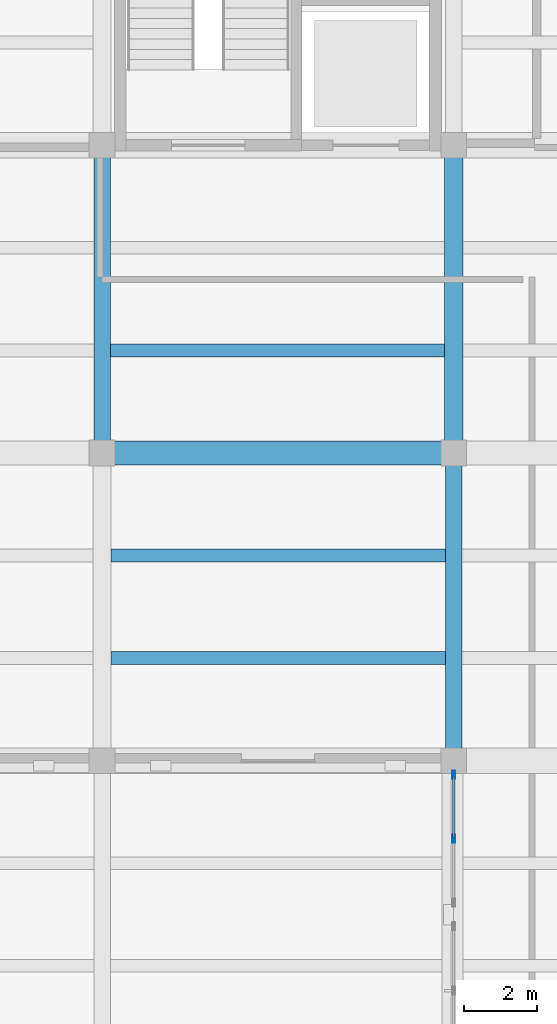
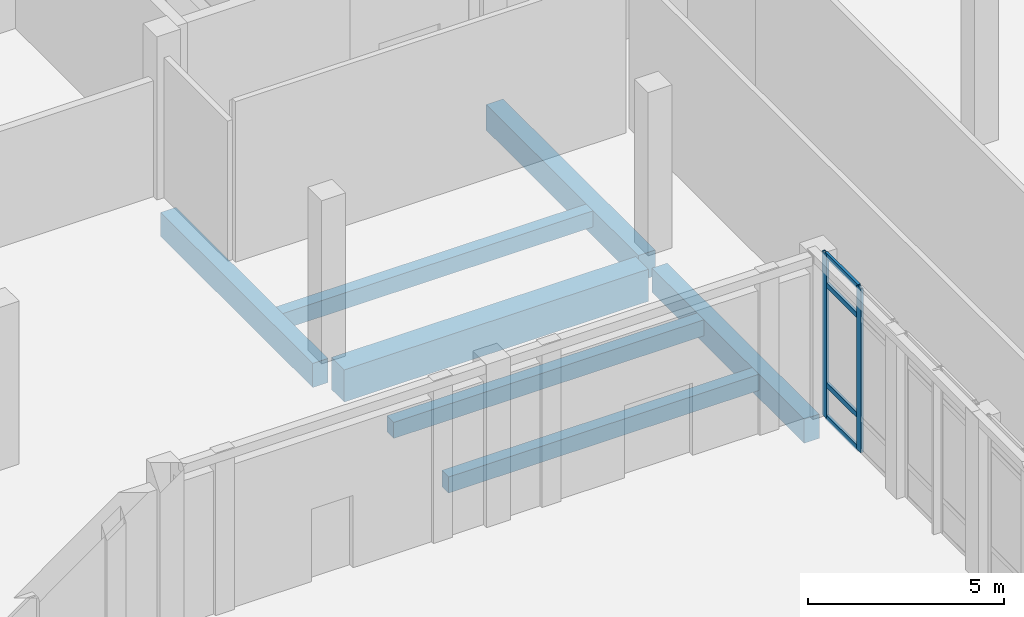
# One storey, part 31 of 71: 7 beams, 6 members, 1 element without a shape of its own.
"""IFC4 building model written with IfcOpenShell, lengths in metres."""

from ifc_helpers import new_model, si_unit, direction, frame, origin, origin_2d, place, context, subcontext, project, spatial, rectangle, hollow_rectangle, extrude, material, layer, layer_set, material_profile, profile_set, type_object, element, aggregate, save


model = new_model("IFC4")

# Units and contexts
model_context = context("Model", 3, precision=1e-05, world=origin(), true_north=direction((0.0, 1.0)))
body_context = subcontext(model_context, "Body", "Model", "MODEL_VIEW")
ifc_project = project(units=[si_unit("LENGTHUNIT", "METRE"), si_unit("AREAUNIT", "SQUARE_METRE"), si_unit("VOLUMEUNIT", "CUBIC_METRE"), si_unit("PLANEANGLEUNIT", "RADIAN"), si_unit("MASSUNIT", "GRAM", prefix="KILO")], contexts=[model_context])

# Site, building, storey
site_placement = place(None, origin())
site = spatial("IfcSite", under=ifc_project, at=site_placement, CompositionType="ELEMENT")
building_placement = place(site_placement, origin())
building = spatial("IfcBuilding", under=site, at=building_placement, Name="Lornevale Opera House", CompositionType="ELEMENT")
storey_placement = place(building_placement, origin())
storey = spatial("IfcBuildingStorey", under=building, at=storey_placement, Name="L01", CompositionType="ELEMENT", Elevation=0.0)

# Beams
ifc_material_1 = material(Name="Concrete 35 MPa (CSA A23.1 N)", Category="concrete")
ifc_material_profile_1 = material_profile(ifc_material_1, rectangle(XDim=0.449951171875, YDim=0.75, at=origin_2d()), Name="RC450x750")
ifc_profile_set_1 = profile_set([ifc_material_profile_1], Name="Concrete 35 MPa (CSA A23.1 N)")
beam_type_1 = type_object("IfcBeamType", Name="Concrete Floor Beam 450x750", PredefinedType="USERDEFINED", material=ifc_profile_set_1)
for number, where, z_axis, x_axis, name in (
    (1, (19.199951171875, 75.925048828125, -0.81494140625), (0.0, 1.0, 0.0), (-1.0, 0.0, 0.0), "Concrete Floor Beam 450x750 1102"),
    (2, (28.800048828125, 67.52490234375, -0.81494140625), (0.0, 1.0, 0.0), (-1.0, 0.0, 0.0), "Concrete Floor Beam 450x750 1113"),
):
    element("IfcBeam", number, at=place(storey_placement, frame(where, z_axis=z_axis, x_axis=x_axis)), inside=storey, type_object=beam_type_1, Name=name, ObjectType="GIRDER", PredefinedType="USERDEFINED", context=body_context, shape_type="SweptSolid", body=[
        extrude(rectangle(XDim=0.449951171875, YDim=0.75, at=origin_2d()), origin(), (0.0, 0.0, 1.0), 7.75),
    ])
ifc_material_profile_2 = material_profile(ifc_material_1, rectangle(XDim=0.5, YDim=0.800048828125, at=origin_2d()), Name="RC500x800")
ifc_profile_set_2 = profile_set([ifc_material_profile_2], Name="Concrete 35 MPa (CSA A23.1 N)")
beam_type_2 = type_object("IfcBeamType", Name="Concrete Floor Beam 500x800", PredefinedType="USERDEFINED", material=ifc_profile_set_2)
beam_1_placement = place(storey_placement, frame((28.800048828125, 75.925048828125, -0.840087890625), z_axis=(0.0, 1.0, 0.0), x_axis=(-1.0, 0.0, 0.0)))
element("IfcBeam", 3, at=beam_1_placement, inside=storey, type_object=beam_type_2, Name="Concrete Floor Beam 500x800 1114", ObjectType="GIRDER", PredefinedType="USERDEFINED", context=body_context, shape_type="SweptSolid", body=[
    extrude(rectangle(XDim=0.5, YDim=0.800048828125, at=origin_2d()), origin(), (0.0, 0.0, 1.0), 7.75),
])
ifc_material_2 = material(Name="Concrete 40 MPa (CSA A23.1 C-1)", Category="concrete")
ifc_material_profile_3 = material_profile(ifc_material_2, rectangle(XDim=0.64990234375, YDim=1.0, at=origin_2d()), Name="RC650x1000")
ifc_profile_set_3 = profile_set([ifc_material_profile_3], Name="Concrete 40 MPa (CSA A23.1 C-1)")
beam_type_3 = type_object("IfcBeamType", Name="Concrete Primary Girder 650x1000", PredefinedType="USERDEFINED", material=ifc_profile_set_3)
beam_2_placement = place(storey_placement, frame((19.52490234375, 75.60009765625, -0.93994140625), z_axis=(1.0, 0.0, 0.0), x_axis=(0.0, 1.0, 0.0)))
element("IfcBeam", 4, at=beam_2_placement, inside=storey, type_object=beam_type_3, Name="Concrete Primary Girder 650x1000 0993", ObjectType="GIRDER", PredefinedType="USERDEFINED", context=body_context, shape_type="SweptSolid", body=[
    extrude(rectangle(XDim=0.64990234375, YDim=1.0, at=origin_2d()), origin(), (0.0, 0.0, 1.0), 8.9501953125),
])
ifc_material_profile_4 = material_profile(ifc_material_1, rectangle(XDim=0.35009765625, YDim=0.5, at=origin_2d()), Name="RC350x500")
ifc_profile_set_4 = profile_set([ifc_material_profile_4], Name="Concrete 35 MPa (CSA A23.1 N)")
beam_type_4 = type_object("IfcBeamType", Name="Concrete Secondary Rib 350x500", PredefinedType="JOIST", material=ifc_profile_set_4)
for number, where, z_axis, x_axis, name in (
    (5, (19.449951171875, 70.0, -0.68994140625), (1.0, 0.0, 0.0), (0.0, 1.0, 0.0), "Concrete Secondary Rib 350x500 1353"),
    (6, (19.449951171875, 72.800048828125, -0.68994140625), (1.0, 0.0, 0.0), (0.0, 1.0, 0.0), "Concrete Secondary Rib 350x500 1354"),
    (7, (19.425048828125, 78.39990234375, -0.68994140625), (1.0, 0.0, 0.0), (0.0, 1.0, 0.0), "Concrete Secondary Rib 350x500 1355"),
):
    element("IfcBeam", number, at=place(storey_placement, frame(where, z_axis=z_axis, x_axis=x_axis)), inside=storey, type_object=beam_type_4, Name=name, PredefinedType="JOIST", context=body_context, shape_type="SweptSolid", body=[
        extrude(rectangle(XDim=0.35009765625, YDim=0.5, at=origin_2d()), origin(), (0.0, 0.0, 1.0), 9.125),
    ])

# Curtain wall, members
ifc_material_3 = material(Name="Anodized Oxide-Green Aluminium Framing", Category="aluminium")
ifc_layer = layer(ifc_material_3, 0.215087890625)
ifc_layer_set = layer_set([ifc_layer], Name="Anodized Oxide-Green Aluminium Framing")
curtain_wall_type = type_object("IfcCurtainWallType", Name="Grand Foyer Curtain Wall M2000", PredefinedType="NOTDEFINED", material=ifc_layer_set)
curtain_wall_placement = place(storey_placement, origin())
curtain_wall = element("IfcCurtainWall", 8, at=curtain_wall_placement, inside=storey, type_object=curtain_wall_type, Name="Grand Foyer Curtain Wall M2000 CW-010", PredefinedType="NOTDEFINED")
ifc_material_profile_5 = material_profile(ifc_material_3, hollow_rectangle(XDim=0.074951171875, YDim=0.219970703125, WallThickness=0.0048828125, at=origin_2d()), Name="ALU75x220x5")
ifc_profile_set_5 = profile_set([ifc_material_profile_5], Name="Anodized Oxide-Green Aluminium Framing")
member_type_1 = type_object("IfcMemberType", Name="Curtain Wall Mullion 75x220", PredefinedType="MULLION", material=ifc_profile_set_5)
member_1_placement = place(storey_placement, frame((28.800048828125, 65.06689453125, 0.0), z_axis=(0.0, 0.0, 1.0), x_axis=(-1.0, 0.0, 0.0)))
member_1 = element("IfcMember", 9, at=member_1_placement, type_object=member_type_1, Name="Curtain Wall Mullion 75x220 CW0155", PredefinedType="MULLION", context=body_context, shape_type="SweptSolid", body=[
    extrude(hollow_rectangle(XDim=0.074951171875, YDim=0.219970703125, WallThickness=0.0048828125, at=origin_2d()), origin(), (0.0, 0.0, 1.0), 5.10009765625),
])
member_2_placement = place(storey_placement, frame((28.800048828125, 66.81640625, 0.0), z_axis=(0.0, 0.0, 1.0), x_axis=(-1.0, 0.0, 0.0)))
member_2 = element("IfcMember", 10, at=member_2_placement, type_object=member_type_1, Name="Curtain Wall Mullion 75x220 CW0156", PredefinedType="MULLION", context=body_context, shape_type="SweptSolid", body=[
    extrude(hollow_rectangle(XDim=0.074951171875, YDim=0.219970703125, WallThickness=0.0048828125, at=origin_2d()), origin(), (0.0, 0.0, 1.0), 5.10009765625),
])
ifc_material_profile_6 = material_profile(ifc_material_3, hollow_rectangle(XDim=0.074951171875, YDim=0.159912109375, WallThickness=0.0048828125, at=origin_2d()), Name="ALU75x160x5")
ifc_profile_set_6 = profile_set([ifc_material_profile_6], Name="Anodized Oxide-Green Aluminium Framing")
member_type_2 = type_object("IfcMemberType", Name="Curtain Wall Transom 75x160", PredefinedType="USERDEFINED", material=ifc_profile_set_6)
member_3_placement = place(storey_placement, frame((28.800048828125, 65.1044921875, 0.03759765625), z_axis=(0.0, 1.0, 0.0), x_axis=(-1.0, 0.0, 0.0)))
member_3 = element("IfcMember", 11, at=member_3_placement, type_object=member_type_2, Name="Curtain Wall Transom 75x160 CW0164", ObjectType="TRANSOM", PredefinedType="USERDEFINED", context=body_context, shape_type="SweptSolid", body=[
    extrude(hollow_rectangle(XDim=0.074951171875, YDim=0.159912109375, WallThickness=0.0048828125, at=origin_2d()), origin(), (0.0, 0.0, 1.0), 1.674560546875),
])
member_4_placement = place(storey_placement, frame((28.800048828125, 65.1044921875, 1.050048828125), z_axis=(0.0, 1.0, 0.0), x_axis=(-1.0, 0.0, 0.0)))
member_4 = element("IfcMember", 12, at=member_4_placement, type_object=member_type_2, Name="Curtain Wall Transom 75x160 CW0165", ObjectType="TRANSOM", PredefinedType="USERDEFINED", context=body_context, shape_type="SweptSolid", body=[
    extrude(hollow_rectangle(XDim=0.074951171875, YDim=0.159912109375, WallThickness=0.0048828125, at=origin_2d()), origin(), (0.0, 0.0, 1.0), 1.674560546875),
])
member_5_placement = place(storey_placement, frame((28.800048828125, 65.1044921875, 4.14990234375), z_axis=(0.0, 1.0, 0.0), x_axis=(-1.0, 0.0, 0.0)))
member_5 = element("IfcMember", 13, at=member_5_placement, type_object=member_type_2, Name="Curtain Wall Transom 75x160 CW0166", ObjectType="TRANSOM", PredefinedType="USERDEFINED", context=body_context, shape_type="SweptSolid", body=[
    extrude(hollow_rectangle(XDim=0.074951171875, YDim=0.159912109375, WallThickness=0.0048828125, at=origin_2d()), origin(), (0.0, 0.0, 1.0), 1.674560546875),
])
member_6_placement = place(storey_placement, frame((28.800048828125, 65.1044921875, 5.0625), z_axis=(0.0, 1.0, 0.0), x_axis=(-1.0, 0.0, 0.0)))
member_6 = element("IfcMember", 14, at=member_6_placement, type_object=member_type_2, Name="Curtain Wall Transom 75x160 CW0167", ObjectType="TRANSOM", PredefinedType="USERDEFINED", context=body_context, shape_type="SweptSolid", body=[
    extrude(hollow_rectangle(XDim=0.074951171875, YDim=0.159912109375, WallThickness=0.0048828125, at=origin_2d()), origin(), (0.0, 0.0, 1.0), 1.674560546875),
])
aggregate(curtain_wall, [member_1, member_2, member_3, member_4, member_5, member_6])

save(model, "model.ifc")
